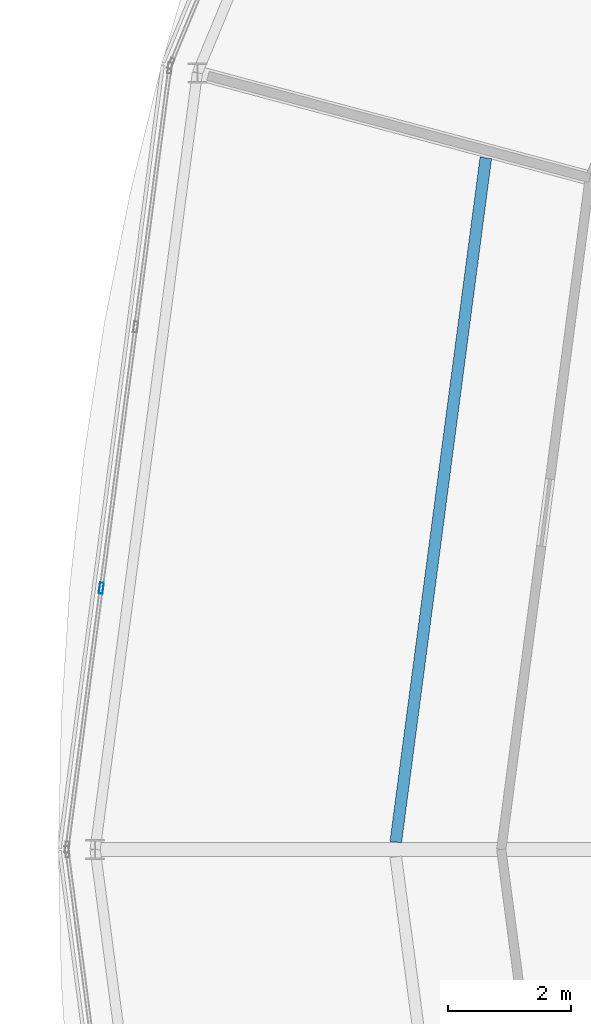
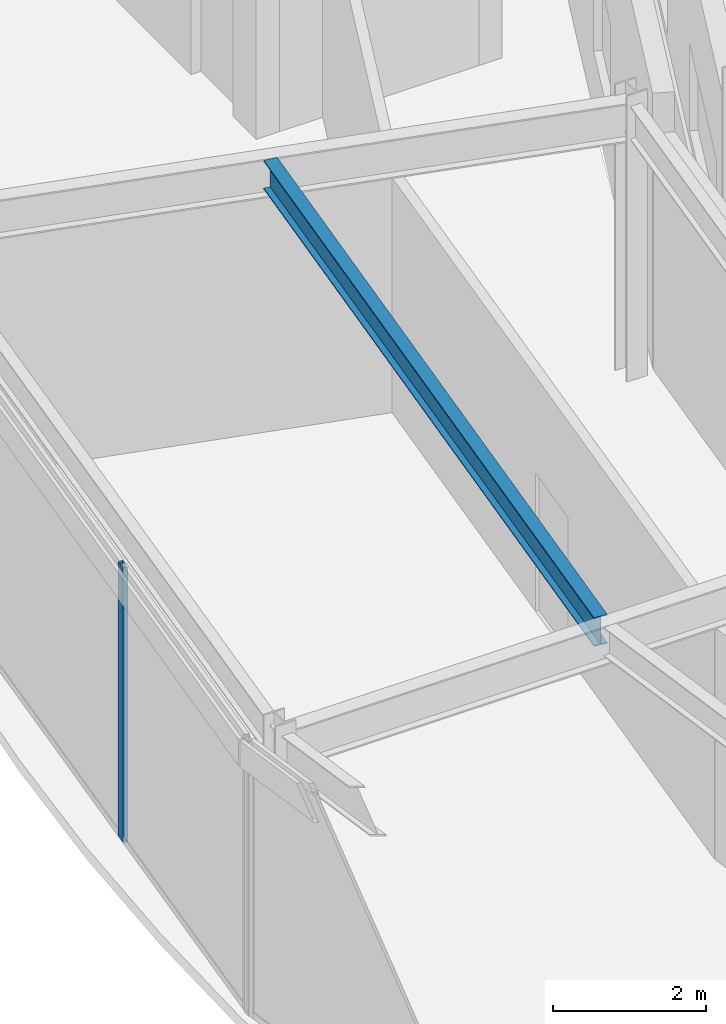
# One storey, part 32 of 133: 1 beam, 1 member, 1 element without a shape of its own.
"""IFC4 building model written with IfcOpenShell, lengths in metres."""

from ifc_helpers import new_model, si_unit, direction, frame, origin, origin_2d, place, context, subcontext, project, spatial, hollow_rectangle, i_section, extrude, material, material_profile, profile_set, type_object, element, aggregate, save


model = new_model("IFC4")

# Units and contexts
model_context = context("Model", 3, precision=1e-05, world=origin(), true_north=direction((0.0, 1.0)))
body_context = subcontext(model_context, "Body", "Model", "MODEL_VIEW")
ifc_project = project(units=[si_unit("LENGTHUNIT", "METRE"), si_unit("AREAUNIT", "SQUARE_METRE"), si_unit("VOLUMEUNIT", "CUBIC_METRE"), si_unit("PLANEANGLEUNIT", "RADIAN"), si_unit("MASSUNIT", "GRAM", prefix="KILO")], contexts=[model_context])

# Site, building, storey
site_placement = place(None, origin())
site = spatial("IfcSite", under=ifc_project, at=site_placement, CompositionType="ELEMENT")
building_placement = place(site_placement, origin())
building = spatial("IfcBuilding", under=site, at=building_placement, Name="Almandine Court Research Institute", CompositionType="ELEMENT")
storey_placement = place(building_placement, frame((0.0, 0.0, 9.800048828125)))
storey = spatial("IfcBuildingStorey", under=building, at=storey_placement, Name="L02", CompositionType="ELEMENT", Elevation=9.800048828125)

# Beam
ifc_material_1 = material(Name="Steel ASTM A992 Grade 50", Category="steel")
ifc_material_profile_1 = material_profile(ifc_material_1, i_section(OverallWidth=0.18994140625, OverallDepth=0.45703125, WebThickness=0.009033203125, FlangeThickness=0.014892578125, at=origin_2d()), Name="W460x74")
ifc_profile_set_1 = profile_set([ifc_material_profile_1], Name="Steel ASTM A992 Grade 50")
beam_type = type_object("IfcBeamType", Name="Beam-B-01", PredefinedType="BEAM", material=ifc_profile_set_1)
beam_placement = place(storey_placement, frame((44.468017578125, 67.27197265625, 4.140869140625), z_axis=(-0.130512904889, -0.991446610594, 0.0), x_axis=(0.991446610594, -0.130512904889, 0.0)))
element("IfcBeam", 1, at=beam_placement, inside=storey, type_object=beam_type, Name="L02 Drum MID Ring Beam 11", PredefinedType="BEAM", context=body_context, shape_type="SweptSolid", body=[
    extrude(i_section(OverallWidth=0.18994140625, OverallDepth=0.45703125, WebThickness=0.009033203125, FlangeThickness=0.014892578125, at=origin_2d()), origin(), (0.0, 0.0, 1.0), 11.248046875),
])

# Curtain wall, member
ifc_material_2 = material(Name="Unitised Curtain Wall Framing and Solar Glazing", Category="glass")
curtain_wall_type = type_object("IfcCurtainWallType", Name="CW-CWJ-19", PredefinedType="USERDEFINED", material=ifc_material_2)
curtain_wall_placement = place(storey_placement, origin())
curtain_wall = element("IfcCurtainWall", 2, at=curtain_wall_placement, inside=storey, type_object=curtain_wall_type, Name="L02 Stacked-Ring Drum Outer Solar Jali Screen 11", ObjectType="SOLAR JALI SCREEN", PredefinedType="USERDEFINED")
ifc_material_3 = material(Name="Anodised Aluminium AW-6063-T6", Category="aluminium")
ifc_material_profile_2 = material_profile(ifc_material_3, hollow_rectangle(XDim=0.06494140625, YDim=0.179931640625, WallThickness=0.00390625, at=origin_2d()), Name="ALU RHS 65x180x4")
ifc_profile_set_2 = profile_set([ifc_material_profile_2], Name="Anodised Aluminium AW-6063-T6")
member_type = type_object("IfcMemberType", Name="CWMul-65x180", PredefinedType="MULLION", material=ifc_profile_set_2)
member_placement = place(storey_placement, frame((38.200439453125, 60.259765625, 0.0), z_axis=(0.0, 0.0, 1.0), x_axis=(-0.991442926098, 0.130540891259, 0.0)))
member = element("IfcMember", 3, at=member_placement, type_object=member_type, Name="CWJ-19 mullion 2", PredefinedType="MULLION", context=body_context, shape_type="SweptSolid", body=[
    extrude(hollow_rectangle(XDim=0.06494140625, YDim=0.179931640625, WallThickness=0.00390625, at=origin_2d()), origin(), (0.0, 0.0, 1.0), 4.369873046875),
])
aggregate(curtain_wall, [member])

save(model, "model.ifc")
